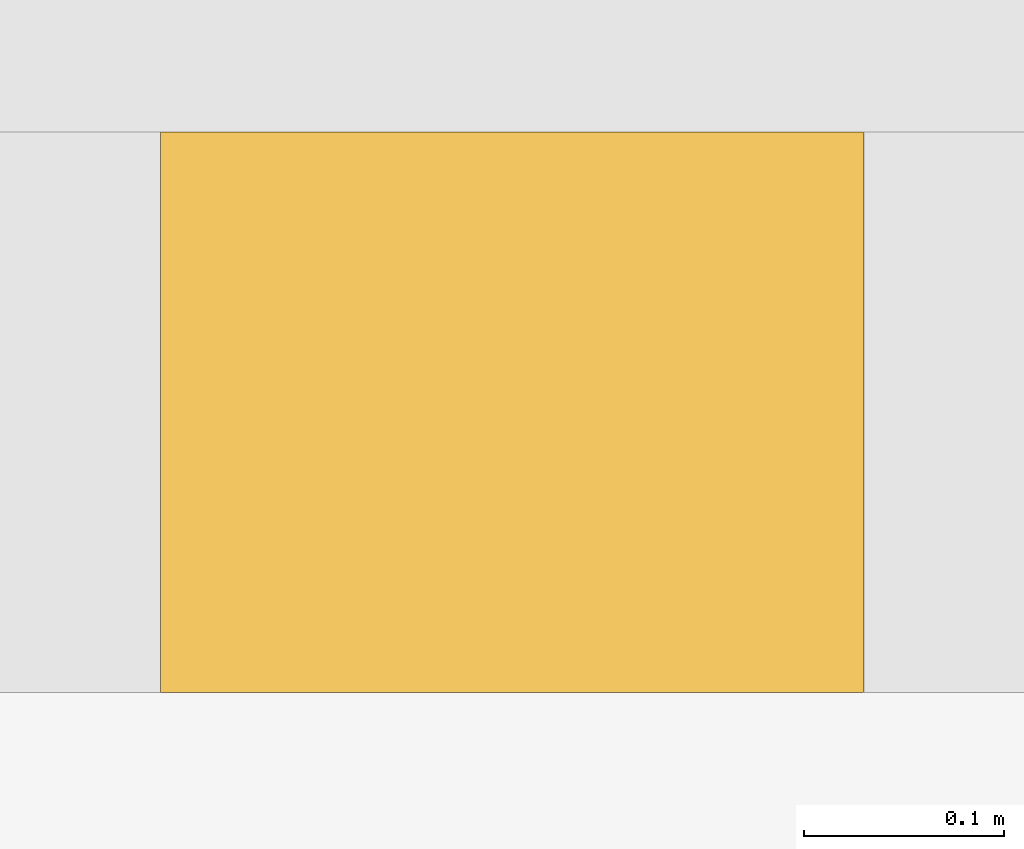
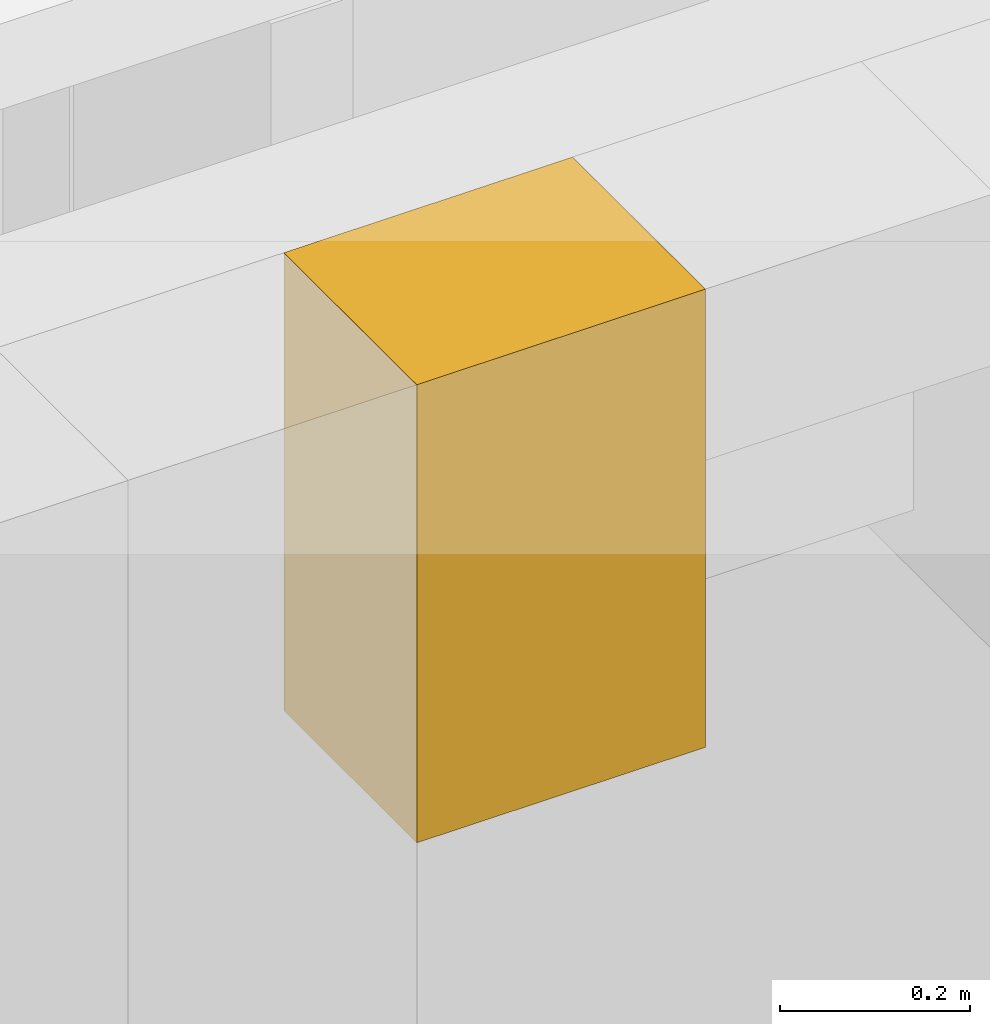
# One storey, part 66 of 72: 1 covering.
"""IFC4 building model written with IfcOpenShell, lengths in metres."""

from ifc_helpers import new_model, si_unit, direction, frame, origin, origin_2d, place, context, subcontext, project, spatial, rectangle, extrude, material, layer, layer_set, type_object, element, save


model = new_model("IFC4")

# Units and contexts
model_context = context("Model", 3, precision=1e-05, world=origin(), true_north=direction((0.0, 1.0)))
body_context = subcontext(model_context, "Body", "Model", "MODEL_VIEW")
ifc_project = project(units=[si_unit("LENGTHUNIT", "METRE"), si_unit("AREAUNIT", "SQUARE_METRE"), si_unit("VOLUMEUNIT", "CUBIC_METRE"), si_unit("PLANEANGLEUNIT", "RADIAN"), si_unit("MASSUNIT", "GRAM", prefix="KILO")], contexts=[model_context])

# Site, building, storey
site_placement = place(None, origin())
site = spatial("IfcSite", under=ifc_project, at=site_placement, CompositionType="ELEMENT")
building_placement = place(site_placement, origin())
building = spatial("IfcBuilding", under=site, at=building_placement, Name="Nzembalo Square Collegiate School", CompositionType="ELEMENT")
storey_placement = place(building_placement, origin())
storey = spatial("IfcBuildingStorey", under=building, at=storey_placement, Name="L00", CompositionType="ELEMENT", Elevation=0.0)

# Covering
ifc_material = material(Name="Precast concrete C40/50 arch voussoir", Category="concrete")
ifc_layer = layer(ifc_material, 0.1201171875, Name="Precast concrete C40/50 arch voussoir")
ifc_layer_set = layer_set([ifc_layer], Name="Precast concrete C40/50 arch voussoir")
covering_type = type_object("IfcCoveringType", Name="AR01", PredefinedType="CLADDING", material=ifc_layer_set)
covering_placement = place(storey_placement, frame((132.248779296875, 4.6201171875, 4.2109375), z_axis=(0.0, 0.0, 1.0), x_axis=(1.0, 0.0, 0.0)))
element("IfcCovering", 1, at=covering_placement, inside=storey, type_object=covering_type, Name="Gothic pointed arch voussoir AR01-067-3", PredefinedType="CLADDING", context=body_context, shape_type="SweptSolid", body=[
    extrude(rectangle(XDim=0.35107421875, YDim=0.280029296875, at=origin_2d()), origin(), (0.0, 0.0, 1.0), 0.589111328125),
])

save(model, "model.ifc")
